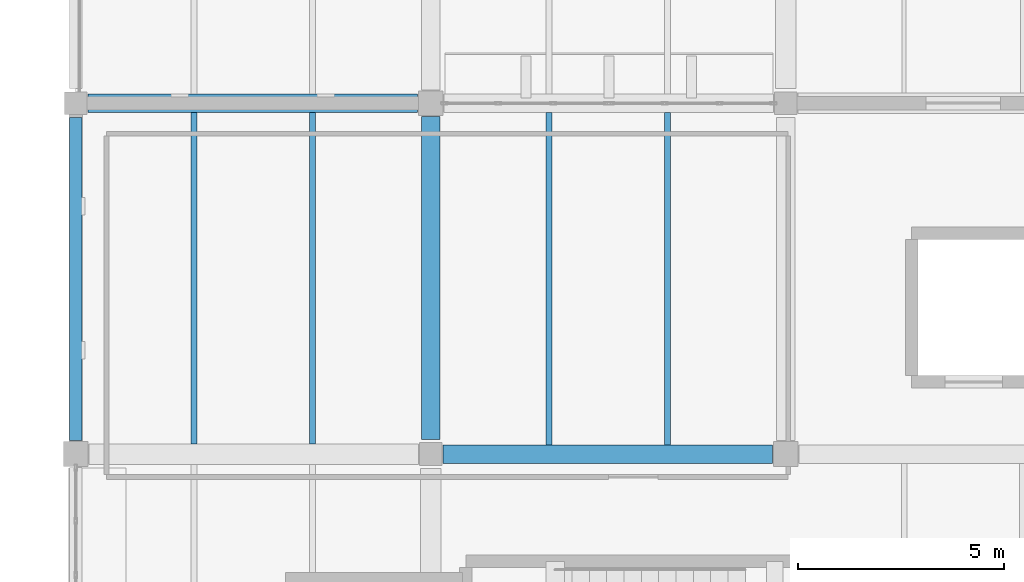
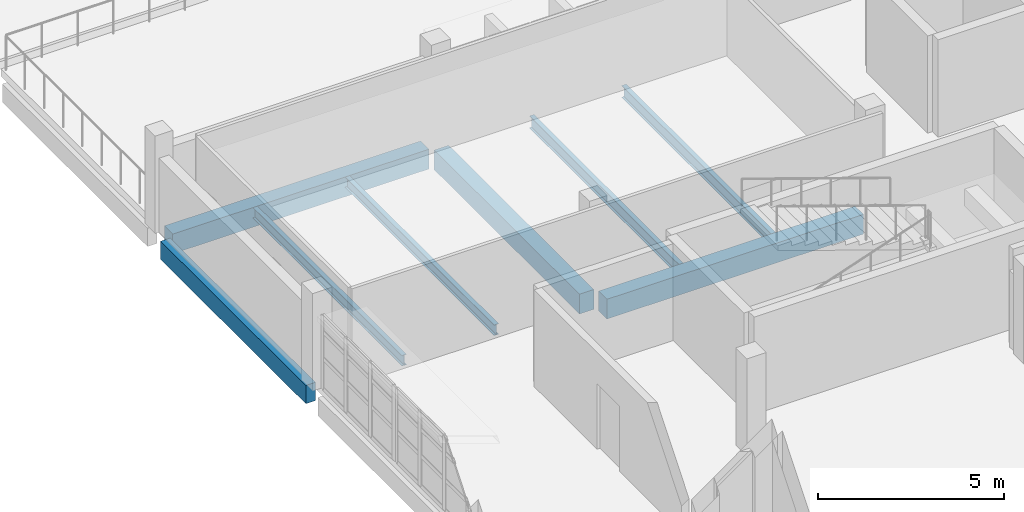
# One storey, part 13 of 55: 8 beams.
"""IFC4 building model written with IfcOpenShell, lengths in metres."""

from ifc_helpers import new_model, si_unit, direction, frame, origin, origin_2d, place, context, subcontext, project, spatial, rectangle, i_section, extrude, material, material_profile, profile_set, type_object, element, save


model = new_model("IFC4")

# Units and contexts
model_context = context("Model", 3, precision=1e-05, world=origin(), true_north=direction((0.0, 1.0)))
body_context = subcontext(model_context, "Body", "Model", "MODEL_VIEW")
ifc_project = project(units=[si_unit("LENGTHUNIT", "METRE"), si_unit("AREAUNIT", "SQUARE_METRE"), si_unit("VOLUMEUNIT", "CUBIC_METRE"), si_unit("PLANEANGLEUNIT", "RADIAN"), si_unit("MASSUNIT", "GRAM", prefix="KILO")], contexts=[model_context])

# Site, building, storey
site_placement = place(None, origin())
site = spatial("IfcSite", under=ifc_project, at=site_placement, CompositionType="ELEMENT")
building_placement = place(site_placement, origin())
building = spatial("IfcBuilding", under=site, at=building_placement, Name="Varnakota Cinema and Media Centre", CompositionType="ELEMENT")
storey_placement = place(building_placement, frame((0.0, 0.0, 15.60009765625)))
storey = spatial("IfcBuildingStorey", under=building, at=storey_placement, Name="L04", CompositionType="ELEMENT", Elevation=15.60009765625)

# Beams
ifc_material_1 = material(Name="Concrete M35", Category="concrete")
ifc_material_profile_1 = material_profile(ifc_material_1, rectangle(XDim=0.449951171875, YDim=0.64990234375, at=origin_2d()), Name="RCB 450x650")
ifc_profile_set_1 = profile_set([ifc_material_profile_1], Name="Concrete M35")
beam_type_1 = type_object("IfcBeamType", Name="BM-RC-450x650", PredefinedType="BEAM", material=ifc_profile_set_1)
beam_1_placement = place(storey_placement, frame((8.89990234375, 52.5, -0.5751953125), z_axis=(1.0, 0.0, 0.0), x_axis=(0.0, 1.0, 0.0)))
element("IfcBeam", 1, at=beam_1_placement, inside=storey, type_object=beam_type_1, Name="L04 girder B-C/7", PredefinedType="BEAM", context=body_context, shape_type="SweptSolid", body=[
    extrude(rectangle(XDim=0.449951171875, YDim=0.64990234375, at=origin_2d()), origin(), (0.0, 0.0, 1.0), 7.97509765625),
])
beam_2_placement = place(storey_placement, frame((0.300048828125, 61.0, -0.5751953125), z_axis=(1.0, 0.0, 0.0), x_axis=(0.0, 1.0, 0.0)))
element("IfcBeam", 2, at=beam_2_placement, inside=storey, type_object=beam_type_1, Name="L04 girder A-B/8", PredefinedType="BEAM", context=body_context, shape_type="SweptSolid", body=[
    extrude(rectangle(XDim=0.449951171875, YDim=0.64990234375, at=origin_2d()), origin(), (0.0, 0.0, 1.0), 7.974853515625),
])
beam_3_placement = place(storey_placement, frame((8.60009765625, 52.85009765625, -0.5751953125), z_axis=(0.0, 1.0, 0.0), x_axis=(-1.0, 0.0, 0.0)))
element("IfcBeam", 3, at=beam_3_placement, inside=storey, type_object=beam_type_1, Name="L04 girder B/7-8", PredefinedType="BEAM", context=body_context, shape_type="SweptSolid", body=[
    extrude(rectangle(XDim=0.449951171875, YDim=0.64990234375, at=origin_2d()), origin(), (0.0, 0.0, 1.0), 7.824951171875),
])
ifc_material_2 = material(Name="Concrete M35", Category="concrete")
ifc_material_profile_2 = material_profile(ifc_material_2, rectangle(XDim=0.300048828125, YDim=0.60009765625, at=origin_2d()), Name="RCB 300x600")
ifc_profile_set_2 = profile_set([ifc_material_profile_2], Name="Concrete M35")
beam_type_2 = type_object("IfcBeamType", Name="BM-SP-300x600", PredefinedType="SPANDREL", material=ifc_profile_set_2)
beam_4_placement = place(storey_placement, frame((0.0, 52.824951171875, -0.550048828125), z_axis=(0.0, 1.0, 0.0), x_axis=(-1.0, 0.0, 0.0)))
element("IfcBeam", 4, at=beam_4_placement, inside=storey, type_object=beam_type_2, Name="L04 girder A/7-8", PredefinedType="SPANDREL", context=body_context, shape_type="SweptSolid", body=[
    extrude(rectangle(XDim=0.300048828125, YDim=0.60009765625, at=origin_2d()), origin(), (0.0, 0.0, 1.0), 7.824951171875),
])
ifc_material_3 = material(Name="Structural steel Grade 350 (E350)", Category="steel")
ifc_material_profile_3 = material_profile(ifc_material_3, i_section(OverallWidth=0.139892578125, OverallDepth=0.35009765625, WebThickness=0.008056640625, FlangeThickness=0.01416015625, FilletRadius=0.013916015625, at=origin_2d()), Name="ISMB 350")
ifc_profile_set_3 = profile_set([ifc_material_profile_3], Name="Structural steel Grade 350 (E350)")
beam_type_3 = type_object("IfcBeamType", Name="BM-ST-ISMB350", PredefinedType="JOIST", material=ifc_profile_set_3)
for number, where, z_axis, x_axis, name in (
    (5, (2.86669921875, 52.75, -0.425048828125), (0.0, 1.0, 0.0), (-1.0, 0.0, 0.0), "L04 steel joist A-B/7-8 #1"),
    (6, (5.7333984375, 52.75, -0.425048828125), (0.0, 1.0, 0.0), (-1.0, 0.0, 0.0), "L04 steel joist A-B/7-8 #2"),
):
    element("IfcBeam", number, at=place(storey_placement, frame(where, z_axis=z_axis, x_axis=x_axis)), inside=storey, type_object=beam_type_3, Name=name, PredefinedType="JOIST", context=body_context, shape_type="SweptSolid", body=[
        extrude(i_section(OverallWidth=0.139892578125, OverallDepth=0.35009765625, WebThickness=0.008056640625, FlangeThickness=0.01416015625, FilletRadius=0.013916015625, at=origin_2d()), origin(), (0.0, 0.0, 1.0), 8.02490234375),
    ])
ifc_material_4 = material(Name="Structural steel Grade 350 (E350)", Category="steel")
ifc_material_profile_4 = material_profile(ifc_material_4, i_section(OverallWidth=0.139892578125, OverallDepth=0.39990234375, WebThickness=0.0087890625, FlangeThickness=0.01611328125, FilletRadius=0.013916015625, at=origin_2d()), Name="ISMB 400")
ifc_profile_set_4 = profile_set([ifc_material_profile_4], Name="Structural steel Grade 350 (E350)")
beam_type_4 = type_object("IfcBeamType", Name="BM-ST-ISMB400", PredefinedType="JOIST", material=ifc_profile_set_4)
for number, where, z_axis, x_axis, name in (
    (7, (11.466796875, 52.72509765625, -0.4501953125), (0.0, 1.0, 0.0), (-1.0, 0.0, 0.0), "L04 steel joist B-C/7-8 #1"),
    (8, (14.333251953125, 52.72509765625, -0.4501953125), (0.0, 1.0, 0.0), (-1.0, 0.0, 0.0), "L04 steel joist B-C/7-8 #2"),
):
    element("IfcBeam", number, at=place(storey_placement, frame(where, z_axis=z_axis, x_axis=x_axis)), inside=storey, type_object=beam_type_4, Name=name, PredefinedType="JOIST", context=body_context, shape_type="SweptSolid", body=[
        extrude(i_section(OverallWidth=0.139892578125, OverallDepth=0.39990234375, WebThickness=0.0087890625, FlangeThickness=0.01611328125, FilletRadius=0.013916015625, at=origin_2d()), origin(), (0.0, 0.0, 1.0), 8.0498046875),
    ])

save(model, "model.ifc")
